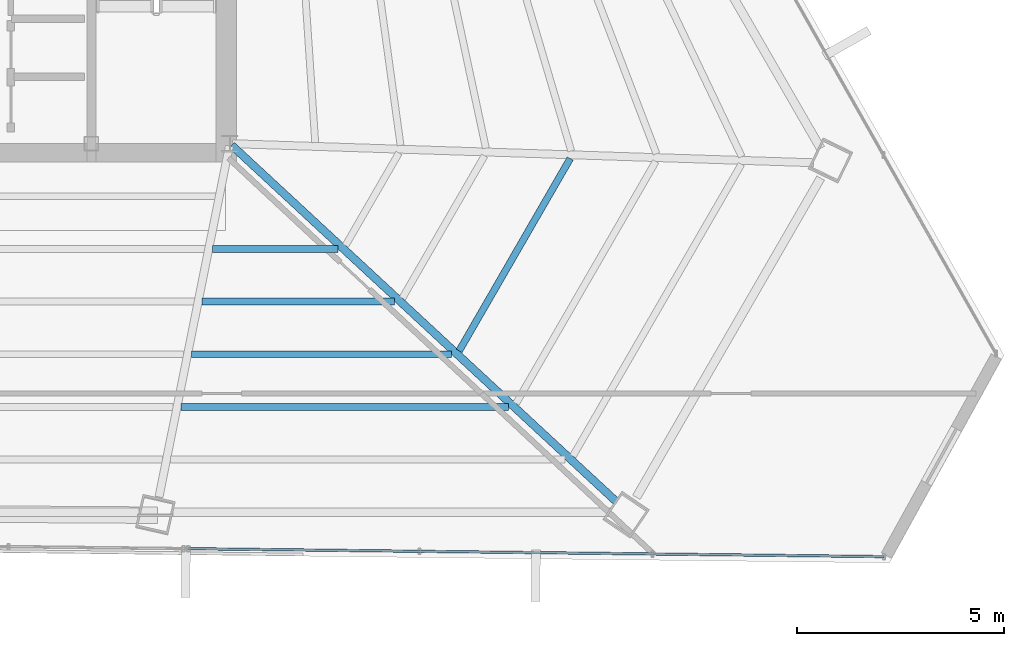
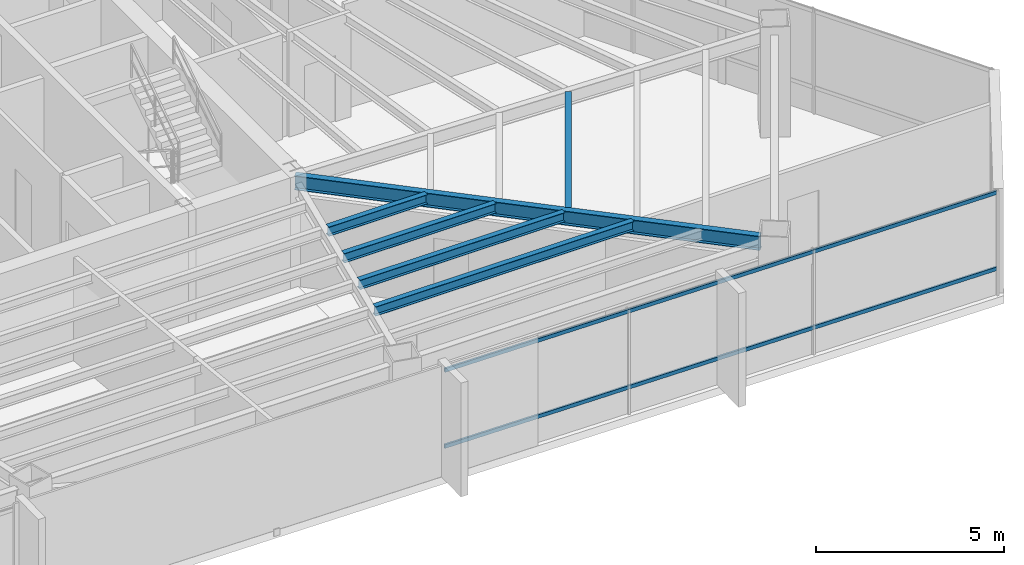
# One storey, part 19 of 41: 6 beams, 2 members, 1 element without a shape of its own.
"""IFC4 building model written with IfcOpenShell, lengths in metres."""

from ifc_helpers import new_model, si_unit, direction, frame, origin, origin_2d, place, context, subcontext, project, spatial, hollow_rectangle, i_section, extrude, source, transform, mapped, material, material_profile, profile_set, type_object, type_shapes, element, aggregate, save


model = new_model("IFC4")

# Units and contexts
model_context = context("Model", 3, precision=1e-05, world=origin(), true_north=direction((0.0, 1.0)))
body_context = subcontext(model_context, "Body", "Model", "MODEL_VIEW")
ifc_project = project(units=[si_unit("LENGTHUNIT", "METRE"), si_unit("AREAUNIT", "SQUARE_METRE"), si_unit("VOLUMEUNIT", "CUBIC_METRE"), si_unit("PLANEANGLEUNIT", "RADIAN"), si_unit("MASSUNIT", "GRAM", prefix="KILO")], contexts=[model_context])

# Site, building, storey
site_placement = place(None, origin())
site = spatial("IfcSite", under=ifc_project, at=site_placement, CompositionType="ELEMENT")
building_placement = place(site_placement, origin())
building = spatial("IfcBuilding", under=site, at=building_placement, Name="Caelisora Broadcast Tower", CompositionType="ELEMENT")
storey_placement = place(building_placement, frame((0.0, 0.0, 209.60009765625)))
storey = spatial("IfcBuildingStorey", under=building, at=storey_placement, Name="L55", CompositionType="ELEMENT", Elevation=209.60009765625)

# Beams
ifc_material_1 = material(Name="Steel Grade 350 (AS/NZS 3679.1)", Category="steel")
ifc_material_profile_1 = material_profile(ifc_material_1, i_section(OverallWidth=0.19091796875, OverallDepth=0.46044921875, WebThickness=0.010009765625, FlangeThickness=0.01611328125, at=origin_2d()), Name="Steel Grade 350 (AS/NZS 3679.1)")
ifc_profile_set_1 = profile_set([ifc_material_profile_1], Name="Steel Grade 350 (AS/NZS 3679.1)")
beam_type_1 = type_object("IfcBeamType", Name="PG06", PredefinedType="BEAM", material=ifc_profile_set_1)
shared_shape_1 = source(origin(), body_context, "Body", "SweptSolid", [
    extrude(i_section(OverallWidth=0.19091796875, OverallDepth=0.46044921875, WebThickness=0.010009765625, FlangeThickness=0.01611328125, at=origin_2d()), origin(), (0.0, 0.0, 1.0), 12.6943359375),
])
type_shapes(beam_type_1, [shared_shape_1])
beam_1_placement = place(storey_placement, frame((45.5439453125, 17.359130859375, 3.169677734375), z_axis=(0.733629984025, -0.679549149466, 0.0), x_axis=(0.679549149466, 0.733629984025, 0.0)))
element("IfcBeam", 1, at=beam_1_placement, inside=storey, type_object=beam_type_1, Name="L55 beam PG06", PredefinedType="BEAM", context=body_context, shape_type="MappedRepresentation", body=[
    mapped(shared_shape_1, transform((0.0, 0.0, 0.0), scale=1.0)),
])
ifc_material_profile_2 = material_profile(ifc_material_1, i_section(OverallWidth=0.166015625, OverallDepth=0.30712890625, WebThickness=0.006591796875, FlangeThickness=0.01171875, at=origin_2d()), Name="Steel Grade 350 (AS/NZS 3679.1)")
ifc_profile_set_2 = profile_set([ifc_material_profile_2], Name="Steel Grade 350 (AS/NZS 3679.1)")
beam_type_2 = type_object("IfcBeamType", Name="SB03", PredefinedType="JOIST", material=ifc_profile_set_2)
shared_shape_2 = source(origin(), body_context, "Body", "SweptSolid", [
    extrude(i_section(OverallWidth=0.166015625, OverallDepth=0.30712890625, WebThickness=0.006591796875, FlangeThickness=0.01171875, at=origin_2d()), origin(), (0.0, 0.0, 1.0), 5.373291015625),
])
beam_2_placement = place(storey_placement, frame((51.052001953125, 12.38330078125, 3.246337890625), z_axis=(0.499970234539, 0.866042588199, 0.0), x_axis=(-0.866042588199, 0.499970234539, 0.0)))
element("IfcBeam", 2, at=beam_2_placement, inside=storey, type_object=beam_type_2, Name="L55 beam SB03", PredefinedType="JOIST", context=body_context, shape_type="MappedRepresentation", body=[
    mapped(shared_shape_2, transform((0.0, 0.0, 0.0), scale=1.0)),
])
shared_shape_3 = source(origin(), body_context, "Body", "SweptSolid", [
    extrude(i_section(OverallWidth=0.166015625, OverallDepth=0.30712890625, WebThickness=0.006591796875, FlangeThickness=0.01171875, at=origin_2d()), origin(), (0.0, 0.0, 1.0), 3.031494140625),
])
beam_3_placement = place(storey_placement, frame((45.083251953125, 14.8505859375, 3.246337890625), z_axis=(1.0, 0.0, 0.0), x_axis=(0.0, 1.0, 0.0)))
element("IfcBeam", 3, at=beam_3_placement, inside=storey, type_object=beam_type_2, Name="L55 beam SB03", PredefinedType="JOIST", context=body_context, shape_type="MappedRepresentation", body=[
    mapped(shared_shape_3, transform((0.0, 0.0, 0.0), scale=1.0)),
])
shared_shape_4 = source(origin(), body_context, "Body", "SweptSolid", [
    extrude(i_section(OverallWidth=0.166015625, OverallDepth=0.30712890625, WebThickness=0.006591796875, FlangeThickness=0.01171875, at=origin_2d()), origin(), (0.0, 0.0, 1.0), 4.6630859375),
])
beam_4_placement = place(storey_placement, frame((44.82763671875, 13.575927734375, 3.246337890625), z_axis=(1.0, 0.0, 0.0), x_axis=(0.0, 1.0, 0.0)))
element("IfcBeam", 4, at=beam_4_placement, inside=storey, type_object=beam_type_2, Name="L55 beam SB03", PredefinedType="JOIST", context=body_context, shape_type="MappedRepresentation", body=[
    mapped(shared_shape_4, transform((0.0, 0.0, 0.0), scale=1.0)),
])
shared_shape_5 = source(origin(), body_context, "Body", "SweptSolid", [
    extrude(i_section(OverallWidth=0.166015625, OverallDepth=0.30712890625, WebThickness=0.006591796875, FlangeThickness=0.01171875, at=origin_2d()), origin(), (0.0, 0.0, 1.0), 6.294921875),
])
beam_5_placement = place(storey_placement, frame((44.572021484375, 12.30126953125, 3.246337890625), z_axis=(1.0, 0.0, 0.0), x_axis=(0.0, 1.0, 0.0)))
element("IfcBeam", 5, at=beam_5_placement, inside=storey, type_object=beam_type_2, Name="L55 beam SB03", PredefinedType="JOIST", context=body_context, shape_type="MappedRepresentation", body=[
    mapped(shared_shape_5, transform((0.0, 0.0, 0.0), scale=1.0)),
])
shared_shape_6 = source(origin(), body_context, "Body", "SweptSolid", [
    extrude(i_section(OverallWidth=0.166015625, OverallDepth=0.30712890625, WebThickness=0.006591796875, FlangeThickness=0.01171875, at=origin_2d()), origin(), (0.0, 0.0, 1.0), 7.926513671875),
])
type_shapes(beam_type_2, [shared_shape_2, shared_shape_3, shared_shape_4, shared_shape_5, shared_shape_6])
beam_6_placement = place(storey_placement, frame((44.31640625, 11.026611328125, 3.246337890625), z_axis=(1.0, 0.0, 0.0), x_axis=(0.0, 1.0, 0.0)))
element("IfcBeam", 6, at=beam_6_placement, inside=storey, type_object=beam_type_2, Name="L55 beam SB03", PredefinedType="JOIST", context=body_context, shape_type="MappedRepresentation", body=[
    mapped(shared_shape_6, transform((0.0, 0.0, 0.0), scale=1.0)),
])

# Curtain wall, members
ifc_material_2 = material(Name="Unitised Aluminium and Low-E Glass Curtain Wall", Category="glass")
curtain_wall_type = type_object("IfcCurtainWallType", Name="CW-Z4", PredefinedType="NOTDEFINED", material=ifc_material_2)
curtain_wall_placement = place(storey_placement, origin())
curtain_wall = element("IfcCurtainWall", 7, at=curtain_wall_placement, inside=storey, type_object=curtain_wall_type, Name="L55 curtain wall CW-Z4", PredefinedType="NOTDEFINED")
ifc_material_3 = material(Name="Aluminium 6063-T6 Anodised Terracotta Bronze", Category="aluminium")
ifc_material_profile_3 = material_profile(ifc_material_3, hollow_rectangle(XDim=0.06005859375, YDim=0.1201171875, WallThickness=0.0029296875, at=origin_2d()), Name="Aluminium 6063-T6 Anodised Terracotta Bronze")
ifc_profile_set_3 = profile_set([ifc_material_profile_3], Name="Aluminium 6063-T6 Anodised Terracotta Bronze")
member_type = type_object("IfcMemberType", Name="CWT-03", PredefinedType="USERDEFINED", material=ifc_profile_set_3)
shared_shape_7 = source(origin(), body_context, "Body", "SweptSolid", [
    extrude(hollow_rectangle(XDim=0.06005859375, YDim=0.1201171875, WallThickness=0.0029296875, at=origin_2d()), origin(), (0.0, 0.0, 1.0), 16.842041015625),
])
type_shapes(member_type, [shared_shape_7])
member_1_placement = place(storey_placement, frame((61.3310546875, 7.401611328125, 0.849853515625), z_axis=(-0.999934757055, 0.011422855734, 0.0), x_axis=(-0.011422855734, -0.999934757055, 0.0)))
member_1 = element("IfcMember", 8, at=member_1_placement, type_object=member_type, Name="L55-CW-B05 transom #1", ObjectType="TRANSOM", PredefinedType="USERDEFINED", context=body_context, shape_type="MappedRepresentation", body=[
    mapped(shared_shape_7, transform((0.0, 0.0, 0.0), scale=1.0)),
])
member_2_placement = place(storey_placement, frame((61.3310546875, 7.401611328125, 3.31982421875), z_axis=(-0.999934757055, 0.011422855734, 0.0), x_axis=(-0.011422855734, -0.999934757055, 0.0)))
member_2 = element("IfcMember", 9, at=member_2_placement, type_object=member_type, Name="L55-CW-B05 transom #2", ObjectType="TRANSOM", PredefinedType="USERDEFINED", context=body_context, shape_type="MappedRepresentation", body=[
    mapped(shared_shape_7, transform((0.0, 0.0, 0.0), scale=1.0)),
])
aggregate(curtain_wall, [member_1, member_2])

save(model, "model.ifc")
